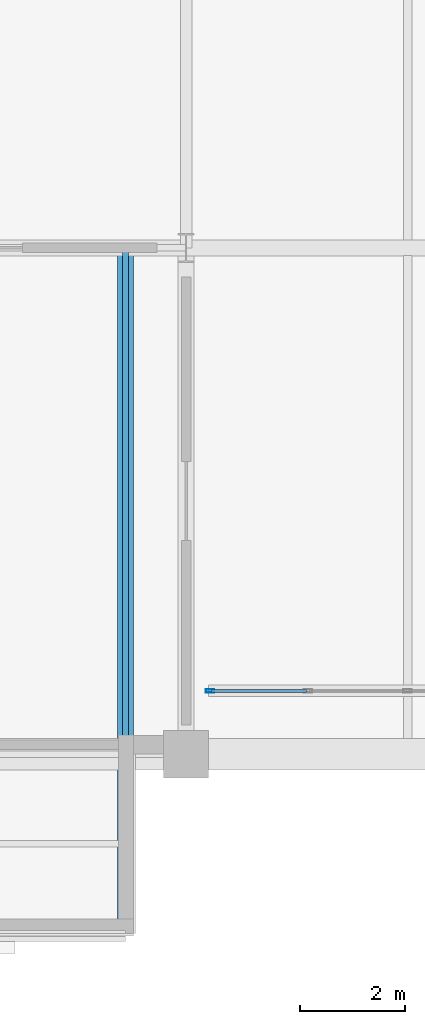
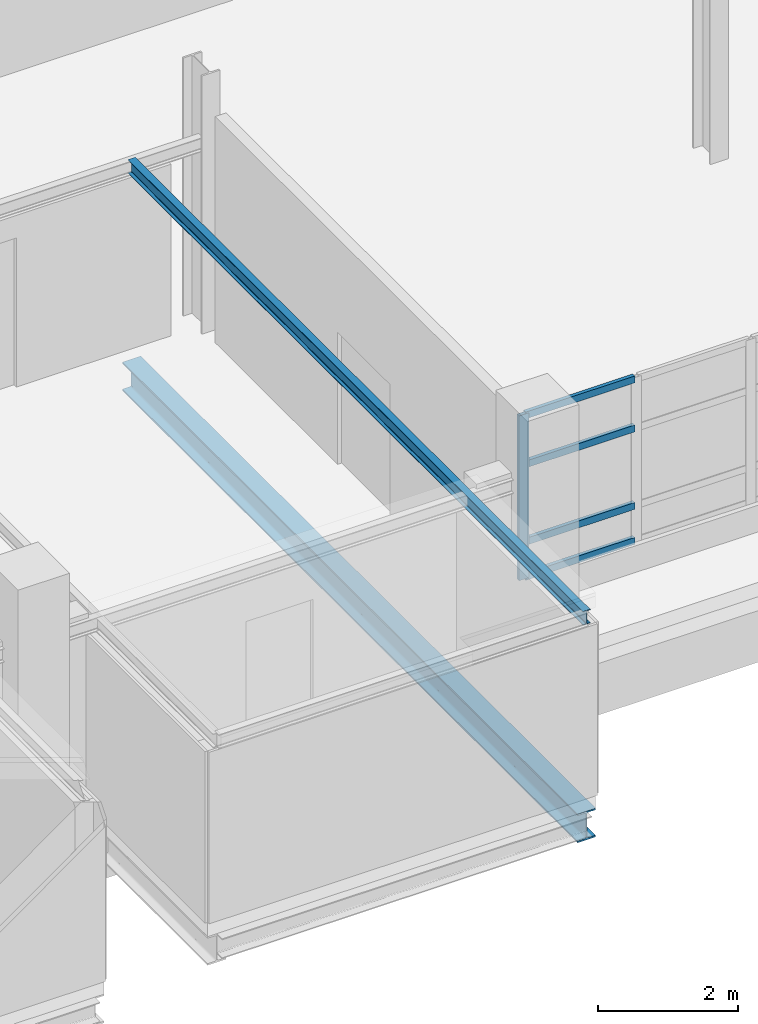
# One storey, part 23 of 109: 5 members, 2 beams, 1 element without a shape of its own.
"""IFC4 building model written with IfcOpenShell, lengths in metres."""

from ifc_helpers import new_model, si_unit, direction, frame, origin, origin_2d, place, context, subcontext, project, spatial, hollow_rectangle, i_section, extrude, material, material_profile, profile_set, type_object, element, aggregate, save


model = new_model("IFC4")

# Units and contexts
model_context = context("Model", 3, precision=1e-05, world=origin(), true_north=direction((0.0, 1.0)))
body_context = subcontext(model_context, "Body", "Model", "MODEL_VIEW")
ifc_project = project(units=[si_unit("LENGTHUNIT", "METRE"), si_unit("AREAUNIT", "SQUARE_METRE"), si_unit("VOLUMEUNIT", "CUBIC_METRE"), si_unit("PLANEANGLEUNIT", "RADIAN"), si_unit("MASSUNIT", "GRAM", prefix="KILO")], contexts=[model_context])

# Site, building, storey
site_placement = place(None, origin())
site = spatial("IfcSite", under=ifc_project, at=site_placement, CompositionType="ELEMENT")
building_placement = place(site_placement, origin())
building = spatial("IfcBuilding", under=site, at=building_placement, Name="Veltarok Museum of Natural Sciences", CompositionType="ELEMENT")
storey_placement = place(building_placement, frame((0.0, 0.0, 17.39990234375)))
storey = spatial("IfcBuildingStorey", under=building, at=storey_placement, Name="L03", CompositionType="ELEMENT", Elevation=17.39990234375)

# Beams
ifc_material_1 = material(Name="Steel S355J2", Category="steel")
ifc_material_profile_1 = material_profile(ifc_material_1, i_section(OverallWidth=0.300048828125, OverallDepth=0.5, WebThickness=0.014404296875, FlangeThickness=0.028076171875, FilletRadius=0.027099609375, at=origin_2d()), Name="HEB 500")
ifc_profile_set_1 = profile_set([ifc_material_profile_1], Name="Steel S355J2")
beam_type_1 = type_object("IfcBeamType", Name="Cabinet Box Cantilever Girder HEB 500", PredefinedType="BEAM", material=ifc_profile_set_1)
beam_1_placement = place(storey_placement, frame((64.050048828125, -3.39990234375, -0.5), z_axis=(0.0, 1.0, 0.0), x_axis=(-1.0, 0.0, 0.0)))
element("IfcBeam", 1, at=beam_1_placement, inside=storey, type_object=beam_type_1, Name="Cabinet Cantilever Girder DB-15-2", PredefinedType="BEAM", context=body_context, shape_type="SweptSolid", body=[
    extrude(i_section(OverallWidth=0.300048828125, OverallDepth=0.5, WebThickness=0.014404296875, FlangeThickness=0.028076171875, FilletRadius=0.027099609375, at=origin_2d()), origin(), (0.0, 0.0, 1.0), 13.0),
])
ifc_material_profile_2 = material_profile(ifc_material_1, i_section(OverallWidth=0.1201171875, OverallDepth=0.239990234375, WebThickness=0.006103515625, FlangeThickness=0.009765625, FilletRadius=0.014892578125, at=origin_2d()), Name="IPE 240")
ifc_profile_set_2 = profile_set([ifc_material_profile_2], Name="Steel S355J2")
beam_type_2 = type_object("IfcBeamType", Name="Cabinet Box Secondary Joist IPE 240", PredefinedType="JOIST", material=ifc_profile_set_2)
beam_2_placement = place(storey_placement, frame((64.050048828125, -3.39990234375, 3.130126953125), z_axis=(0.0, 1.0, 0.0), x_axis=(-1.0, 0.0, 0.0)))
element("IfcBeam", 2, at=beam_2_placement, inside=storey, type_object=beam_type_2, Name="Cabinet Roof Rafter DB-15-2", PredefinedType="JOIST", context=body_context, shape_type="SweptSolid", body=[
    extrude(i_section(OverallWidth=0.1201171875, OverallDepth=0.239990234375, WebThickness=0.006103515625, FlangeThickness=0.009765625, FilletRadius=0.014892578125, at=origin_2d()), origin(), (0.0, 0.0, 1.0), 13.0),
])

# Curtain wall, members
ifc_material_2 = material(Name="Low-iron triple insulated glass", Category="glass")
curtain_wall_type = type_object("IfcCurtainWallType", Name="Curtain Wall System CW-CAB-L03-A-755x288 (V1 Recessed L03 755x288cm)", PredefinedType="NOTDEFINED", material=ifc_material_2)
curtain_wall_placement = place(storey_placement, origin())
curtain_wall = element("IfcCurtainWall", 3, at=curtain_wall_placement, inside=storey, type_object=curtain_wall_type, Name="Curtain Wall CW-CAB-L03-A-755x288 CW-0005", PredefinedType="NOTDEFINED")
ifc_material_3 = material(Name="Thermally broken anodised aluminium", Category="aluminium")
ifc_material_profile_3 = material_profile(ifc_material_3, hollow_rectangle(XDim=0.06005859375, YDim=0.1201171875, WallThickness=0.0048828125, at=origin_2d()), Name="CW TRANSOM 60x120x5")
ifc_profile_set_3 = profile_set([ifc_material_profile_3], Name="Thermally broken anodised aluminium")
member_type_1 = type_object("IfcMemberType", Name="Curtain Wall Horizontal Transom 60x120x5", PredefinedType="USERDEFINED", material=ifc_profile_set_3)
member_1_placement = place(storey_placement, frame((65.68505859375, 1.199951171875, 0.489990234375), z_axis=(1.0, 0.0, 0.0), x_axis=(0.0, 1.0, 0.0)))
member_1 = element("IfcMember", 4, at=member_1_placement, type_object=member_type_1, Name="CW-CAB-L03-A-755x288 transom 1.1", ObjectType="TRANSOM", PredefinedType="USERDEFINED", context=body_context, shape_type="SweptSolid", body=[
    extrude(hollow_rectangle(XDim=0.06005859375, YDim=0.1201171875, WallThickness=0.0048828125, at=origin_2d()), origin(), (0.0, 0.0, 1.0), 1.79736328125),
])
member_2_placement = place(storey_placement, frame((65.68505859375, 1.199951171875, 1.10009765625), z_axis=(1.0, 0.0, 0.0), x_axis=(0.0, 1.0, 0.0)))
member_2 = element("IfcMember", 5, at=member_2_placement, type_object=member_type_1, Name="CW-CAB-L03-A-755x288 transom 1.2", ObjectType="TRANSOM", PredefinedType="USERDEFINED", context=body_context, shape_type="SweptSolid", body=[
    extrude(hollow_rectangle(XDim=0.06005859375, YDim=0.1201171875, WallThickness=0.0048828125, at=origin_2d()), origin(), (0.0, 0.0, 1.0), 1.79736328125),
])
member_3_placement = place(storey_placement, frame((65.68505859375, 1.199951171875, 2.4501953125), z_axis=(1.0, 0.0, 0.0), x_axis=(0.0, 1.0, 0.0)))
member_3 = element("IfcMember", 6, at=member_3_placement, type_object=member_type_1, Name="CW-CAB-L03-A-755x288 transom 1.3", ObjectType="TRANSOM", PredefinedType="USERDEFINED", context=body_context, shape_type="SweptSolid", body=[
    extrude(hollow_rectangle(XDim=0.06005859375, YDim=0.1201171875, WallThickness=0.0048828125, at=origin_2d()), origin(), (0.0, 0.0, 1.0), 1.79736328125),
])
member_4_placement = place(storey_placement, frame((65.68505859375, 1.199951171875, 3.30517578125), z_axis=(1.0, 0.0, 0.0), x_axis=(0.0, 1.0, 0.0)))
member_4 = element("IfcMember", 7, at=member_4_placement, type_object=member_type_1, Name="CW-CAB-L03-A-755x288 transom 1.4", ObjectType="TRANSOM", PredefinedType="USERDEFINED", context=body_context, shape_type="SweptSolid", body=[
    extrude(hollow_rectangle(XDim=0.06005859375, YDim=0.1201171875, WallThickness=0.0048828125, at=origin_2d()), origin(), (0.0, 0.0, 1.0), 1.79736328125),
])
ifc_material_profile_4 = material_profile(ifc_material_3, hollow_rectangle(XDim=0.06005859375, YDim=0.159912109375, WallThickness=0.0048828125, at=origin_2d()), Name="CW MULLION 60x160x5")
ifc_profile_set_4 = profile_set([ifc_material_profile_4], Name="Thermally broken anodised aluminium")
member_type_2 = type_object("IfcMemberType", Name="Curtain Wall Vertical Mullion 60x160x5", PredefinedType="MULLION", material=ifc_profile_set_4)
member_5_placement = place(storey_placement, frame((65.655029296875, 1.199951171875, 0.460205078125), z_axis=(0.0, 0.0, 1.0), x_axis=(0.0, 1.0, 0.0)))
member_5 = element("IfcMember", 8, at=member_5_placement, type_object=member_type_2, Name="CW-CAB-L03-A-755x288 mullion 1", PredefinedType="MULLION", context=body_context, shape_type="SweptSolid", body=[
    extrude(hollow_rectangle(XDim=0.06005859375, YDim=0.159912109375, WallThickness=0.0048828125, at=origin_2d()), origin(), (0.0, 0.0, 1.0), 2.875),
])
aggregate(curtain_wall, [member_5, member_1, member_2, member_3, member_4])

save(model, "model.ifc")
